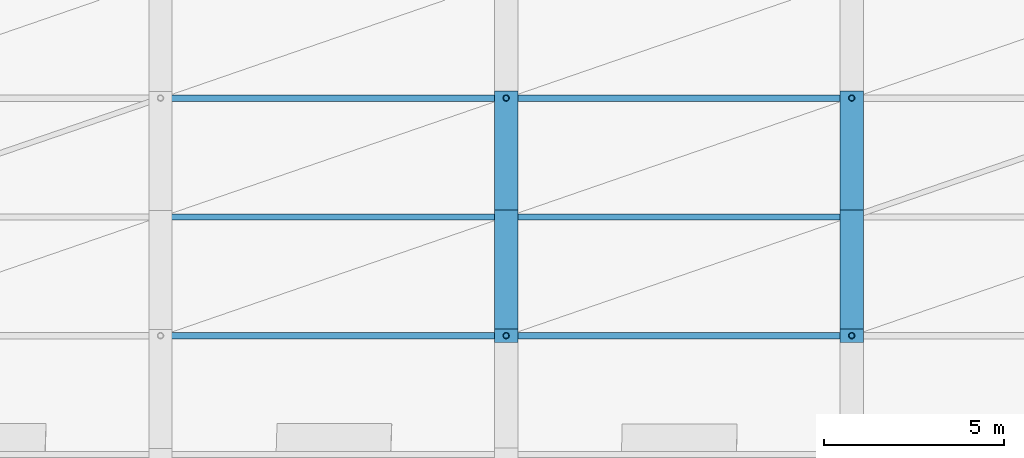
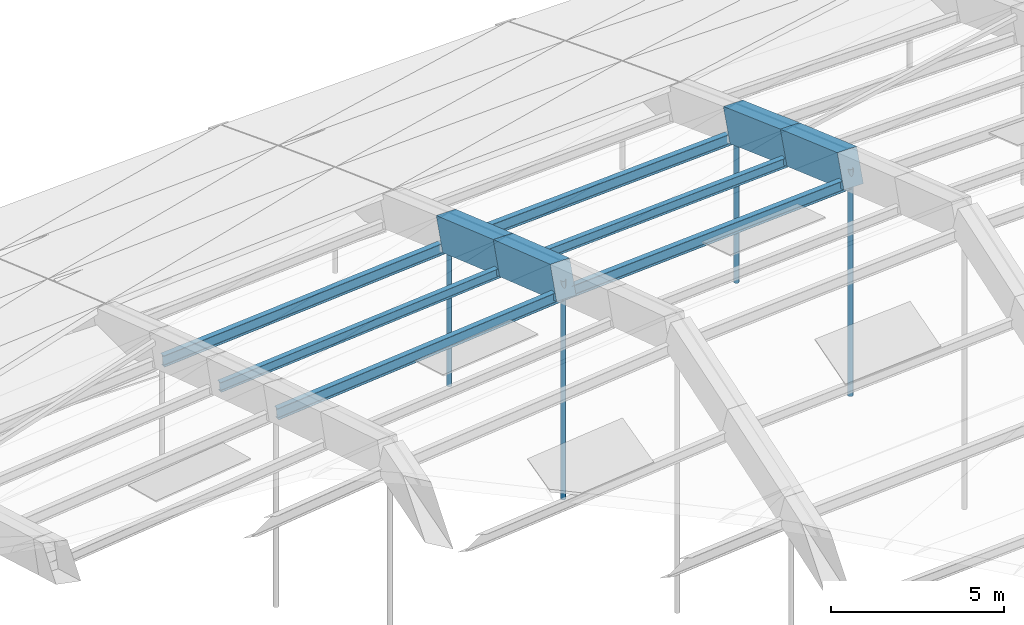
# One storey, part 19 of 43: 10 members, 4 beams.
"""IFC4 building model written with IfcOpenShell, lengths in metres."""

import ifcopenshell
import ifcopenshell.guid

model = None  # the IFC model being written
_history = None  # IfcOwnerHistory: only IFC2X3 demands one
_inside = {}  # id of a spatial element -> (the spatial element, [elements in it])
_under = {}  # id of a project, library or spatial element -> (it, [spatial elements below it])
_declared = {}  # id of a project -> (the project, [libraries it declares])
_typed = {}  # id of a type object -> (the type object, [elements of that type])
_made_of = {}  # id of a material, layer set ... -> (it, [elements and type objects made of it])


def new_model(schema):
    """Start an empty IFC model of exactly this schema.

    Asked for "IFC4X3", IfcOpenShell would pick the latest addendum, in which some entities
    have other attributes; the version numbers below select the first issue.
    IFC2X3 requires an IfcOwnerHistory on every rooted entity: one is made here for all.
    """
    global model, _history
    if schema == "IFC4X3":
        model = ifcopenshell.file(schema_version=(4, 3, 0, 0))
    else:
        model = ifcopenshell.file(schema=schema)
    _inside.clear()
    _under.clear()
    _declared.clear()
    _typed.clear()
    _made_of.clear()
    _history = None
    if model.schema == "IFC2X3":
        org = make("IfcOrganization", Name="unknown")
        user = make(
            "IfcPersonAndOrganization",
            ThePerson=make("IfcPerson", FamilyName="unknown"),
            TheOrganization=org,
        )
        app = make(
            "IfcApplication",
            ApplicationDeveloper=org,
            Version="unknown",
            ApplicationFullName="unknown",
            ApplicationIdentifier="unknown",
        )
        _history = make(
            "IfcOwnerHistory",
            OwningUser=user,
            OwningApplication=app,
            ChangeAction="ADDED",
            CreationDate=0,
        )
    return model


def make(cls, **values):
    """One entity of the class cls with the attributes given. An attribute that is None is left unset."""
    return model.create_entity(
        cls, **{name: value for name, value in values.items() if value is not None}
    )


def rooted(cls, **values):
    """An entity with a GlobalId (a new one), such as an element, a storey or a relation."""
    return make(cls, GlobalId=ifcopenshell.guid.new(), OwnerHistory=_history, **values)


def si_unit(unit_type, name, prefix=None):
    """IfcSIUnit, for example si_unit("LENGTHUNIT", "METRE", prefix="MILLI")."""
    return make("IfcSIUnit", UnitType=unit_type, Prefix=prefix, Name=name)


def assignment(units):
    """IfcUnitAssignment: the units of a project."""
    return None if units is None else make("IfcUnitAssignment", Units=units)


def point(xyz):
    """IfcCartesianPoint."""
    return None if xyz is None else make("IfcCartesianPoint", Coordinates=xyz)


def direction(xyz):
    """IfcDirection."""
    return None if xyz is None else make("IfcDirection", DirectionRatios=xyz)


def frame(location, z_axis=None, x_axis=None):
    """IfcAxis2Placement3D, a coordinate frame: its origin and axes. An axis left out is left unset."""
    return make(
        "IfcAxis2Placement3D",
        Location=point(location),
        Axis=direction(z_axis),
        RefDirection=direction(x_axis),
    )


def frame_2d(location, x_axis=None):
    """IfcAxis2Placement2D, a coordinate frame in the plane: its origin and x axis."""
    return make(
        "IfcAxis2Placement2D", Location=point(location), RefDirection=direction(x_axis)
    )


def origin():
    """The frame at (0, 0, 0) with its axes left unset."""
    return frame((0.0, 0.0, 0.0))


def origin_2d():
    """The frame at (0, 0) in the plane with its x axis left unset."""
    return frame_2d((0.0, 0.0))


def place(relative_to, where):
    """IfcLocalPlacement: puts the frame where relative to a parent placement (None: the world)."""
    return make(
        "IfcLocalPlacement", PlacementRelTo=relative_to, RelativePlacement=where
    )


def context(
    kind, dimensions, precision=None, world=None, true_north=None, identifier=None
):
    """IfcGeometricRepresentationContext, for example the 3D "Model" context."""
    return make(
        "IfcGeometricRepresentationContext",
        ContextIdentifier=identifier,
        ContextType=kind,
        CoordinateSpaceDimension=dimensions,
        Precision=precision,
        WorldCoordinateSystem=world,
        TrueNorth=true_north,
    )


def subcontext(parent, identifier, kind, view, scale=None):
    """IfcGeometricRepresentationSubContext, for example "Body" below "Model"."""
    return make(
        "IfcGeometricRepresentationSubContext",
        ContextIdentifier=identifier,
        ContextType=kind,
        ParentContext=parent,
        TargetScale=scale,
        TargetView=view,
    )


def project(units=None, contexts=None):
    """IfcProject with its units and contexts."""
    return rooted(
        "IfcProject",
        Name="project",
        RepresentationContexts=contexts,
        UnitsInContext=assignment(units),
    )


def spatial(cls, under=None, at=None, **own):
    """A site, building, storey or space (cls), placed at a placement, below another one or the project."""
    s = rooted(cls, ObjectPlacement=at, **own)
    if under is not None:
        _under.setdefault(under.id(), (under, []))[1].append(s)
    return s


def profile(cls, at=None, kind="AREA", **sizes):
    """A parametric profile (cls). Its sizes go by their IFC names, for example OverallWidth=200.0."""
    return make(cls, ProfileType=kind, Position=at, **sizes)


def rectangle(**sizes):
    """IfcRectangleProfileDef."""
    return profile("IfcRectangleProfileDef", **sizes)


def hollow_circle(**sizes):
    """IfcCircleHollowProfileDef."""
    return profile("IfcCircleHollowProfileDef", **sizes)


def i_section(**sizes):
    """IfcIShapeProfileDef."""
    return profile("IfcIShapeProfileDef", **sizes)


def extrude(swept, where, along, depth):
    """IfcExtrudedAreaSolid: the profile swept, set in the frame where, extruded along a direction by depth."""
    return make(
        "IfcExtrudedAreaSolid",
        SweptArea=swept,
        Position=where,
        ExtrudedDirection=direction(along),
        Depth=depth,
    )


def shape(context_of_items, identifier, shape_type, items):
    """IfcShapeRepresentation: the items that make up one representation, for example the "Body"."""
    return make(
        "IfcShapeRepresentation",
        ContextOfItems=context_of_items,
        RepresentationIdentifier=identifier,
        RepresentationType=shape_type,
        Items=items,
    )


def material(Name=None, Category=None):
    """IfcMaterial."""
    return make("IfcMaterial", Name=Name, Category=Category)


def material_profile(
    of_material, cross_section, Name=None, Category=None, Priority=None
):
    """IfcMaterialProfile: a cross section and its material."""
    return make(
        "IfcMaterialProfile",
        Name=Name,
        Material=of_material,
        Profile=cross_section,
        Priority=Priority,
        Category=Category,
    )


def profile_set(profiles, Name=None, composite=None):
    """IfcMaterialProfileSet."""
    return make(
        "IfcMaterialProfileSet",
        Name=Name,
        MaterialProfiles=profiles,
        CompositeProfile=composite,
    )


def made_of(thing, what):
    """Note that an element or type object is made of a material, layer set ...; save() writes the relation."""
    if what is not None:
        _made_of.setdefault(what.id(), (what, []))[1].append(thing)
    return thing


def type_object(cls, material=None, **own):
    """A type object (cls), such as IfcWallType, which elements share."""
    return made_of(rooted(cls, **own), material)


def element(
    cls,
    number,
    at=None,
    inside=None,
    cuts=None,
    type_object=None,
    material=None,
    context=None,
    identifier="Body",
    shape_type=None,
    held_by="IfcProductDefinitionShape",
    body=None,
    shapes=None,
    **own,
):
    """One element of the class cls, such as IfcWall. Its Tag is "e" and its number.

    at: its placement. inside: the storey or other place that contains it. cuts: it is an
    opening in that element (IfcRelVoidsElement). A single representation is given by context,
    identifier, shape_type and body (its items); several are given by shapes. held_by: the class
    of the entity that holds the representations. save() writes the other relations.
    """
    e = rooted(cls, Tag="e%d" % number, ObjectPlacement=at, **own)
    if body is not None:
        shapes = [shape(context, identifier, shape_type, body)]
    if shapes is not None:
        e.Representation = make(held_by, Representations=shapes)
    if inside is not None:
        _inside.setdefault(inside.id(), (inside, []))[1].append(e)
    if cuts is not None:
        rooted(
            "IfcRelVoidsElement", RelatingBuildingElement=cuts, RelatedOpeningElement=e
        )
    if type_object is not None:
        _typed.setdefault(type_object.id(), (type_object, []))[1].append(e)
    return made_of(e, material)


def aggregate(whole, parts):
    """IfcRelAggregates: a whole, such as a stair, and the parts it consists of."""
    return rooted("IfcRelAggregates", RelatingObject=whole, RelatedObjects=parts)


def save(model, path):
    """Write the relations noted so far, then the file.

    IfcRelAggregates (storeys below a building ...), IfcRelContainedInSpatialStructure (elements
    in a storey), IfcRelDefinesByType, IfcRelAssociatesMaterial and IfcRelDeclares: one each for
    every whole, place, type object, material and project.
    """
    for whole, parts in _under.values():
        aggregate(whole, parts)
    for where, things in _inside.values():
        rooted(
            "IfcRelContainedInSpatialStructure",
            RelatedElements=things,
            RelatingStructure=where,
        )
    for kind, things in _typed.values():
        rooted("IfcRelDefinesByType", RelatedObjects=things, RelatingType=kind)
    for what, things in _made_of.values():
        rooted("IfcRelAssociatesMaterial", RelatedObjects=things, RelatingMaterial=what)
    for by, libraries in _declared.values():
        rooted("IfcRelDeclares", RelatingContext=by, RelatedDefinitions=libraries)
    model.write(path)


model = new_model("IFC4")

# Units and contexts
model_context = context("Model", 3, precision=1e-05, world=origin(), true_north=direction((0.0, 1.0)))
body_context = subcontext(model_context, "Body", "Model", "MODEL_VIEW")
ifc_project = project(units=[si_unit("LENGTHUNIT", "METRE"), si_unit("AREAUNIT", "SQUARE_METRE"), si_unit("VOLUMEUNIT", "CUBIC_METRE"), si_unit("PLANEANGLEUNIT", "RADIAN"), si_unit("MASSUNIT", "GRAM", prefix="KILO")], contexts=[model_context])

# Site, building, storey
site_placement = place(None, origin())
site = spatial("IfcSite", under=ifc_project, at=site_placement, CompositionType="ELEMENT")
building_placement = place(site_placement, origin())
building = spatial("IfcBuilding", under=site, at=building_placement, Name="Chalmorin Arch Market", CompositionType="ELEMENT")
storey_placement = place(building_placement, frame((0.0, 0.0, 18.60009765625)))
storey = spatial("IfcBuildingStorey", under=building, at=storey_placement, Name="RF", CompositionType="ELEMENT", Elevation=18.60009765625)

# Members
ifc_material_1 = material(Name="Steel A500 Grade C", Category="steel")
ifc_material_profile_1 = material_profile(ifc_material_1, hollow_circle(Radius=0.084228515625, WallThickness=0.007080078125, at=origin_2d()), Name="CHS168X7")
ifc_profile_set_1 = profile_set([ifc_material_profile_1], Name="Steel A500 Grade C")
member_type_1 = type_object("IfcMemberType", Name="ArchHangerTie-CHS168", PredefinedType="CHORD", material=ifc_profile_set_1)
member_1_placement = place(storey_placement, frame((67.199951171875, 39.0, -2.845458984375), z_axis=(0.0, 0.0, 1.0), x_axis=(1.0, 0.0, 0.0)))
element("IfcMember", 1, at=member_1_placement, inside=storey, type_object=member_type_1, Name="HT-CH168-0146", PredefinedType="CHORD", context=body_context, shape_type="SweptSolid", body=[
    extrude(hollow_circle(Radius=0.084228515625, WallThickness=0.007080078125, at=origin_2d()), origin(), (0.0, 0.0, 1.0), 7.72802734375),
])
member_2_placement = place(storey_placement, frame((67.199951171875, 45.60009765625, -2.845458984375), z_axis=(0.0, 0.0, 1.0), x_axis=(1.0, 0.0, 0.0)))
element("IfcMember", 2, at=member_2_placement, inside=storey, type_object=member_type_1, Name="HT-CH168-0147", PredefinedType="CHORD", context=body_context, shape_type="SweptSolid", body=[
    extrude(hollow_circle(Radius=0.084228515625, WallThickness=0.007080078125, at=origin_2d()), origin(), (0.0, 0.0, 1.0), 5.4521484375),
])
member_3_placement = place(storey_placement, frame((76.800048828125, 39.0, -2.552978515625), z_axis=(0.0, 0.0, 1.0), x_axis=(1.0, 0.0, 0.0)))
element("IfcMember", 3, at=member_3_placement, inside=storey, type_object=member_type_1, Name="HT-CH168-0153", PredefinedType="CHORD", context=body_context, shape_type="SweptSolid", body=[
    extrude(hollow_circle(Radius=0.084228515625, WallThickness=0.007080078125, at=origin_2d()), origin(), (0.0, 0.0, 1.0), 8.019775390625),
])
member_4_placement = place(storey_placement, frame((76.800048828125, 45.60009765625, -2.552978515625), z_axis=(0.0, 0.0, 1.0), x_axis=(1.0, 0.0, 0.0)))
element("IfcMember", 4, at=member_4_placement, inside=storey, type_object=member_type_1, Name="HT-CH168-0154", PredefinedType="CHORD", context=body_context, shape_type="SweptSolid", body=[
    extrude(hollow_circle(Radius=0.084228515625, WallThickness=0.007080078125, at=origin_2d()), origin(), (0.0, 0.0, 1.0), 5.6513671875),
])

# Beams
ifc_material_2 = material(Name="Concrete C50/60", Category="concrete")
ifc_material_profile_2 = material_profile(ifc_material_2, rectangle(XDim=0.64990234375, YDim=1.14990234375, at=origin_2d()), Name="RC650X1150")
ifc_profile_set_2 = profile_set([ifc_material_profile_2], Name="Concrete C50/60")
beam_type = type_object("IfcBeamType", Name="ArchRibChord-650x1150", PredefinedType="BEAM", material=ifc_profile_set_2)
beam_1_placement = place(storey_placement, frame((67.199951171875, 39.0, 4.882568359375), z_axis=(0.0, 0.946661270145, -0.322230413845), x_axis=(-1.0, 0.0, 0.0)))
element("IfcBeam", 5, at=beam_1_placement, inside=storey, type_object=beam_type, Name="AR-01-1633", PredefinedType="BEAM", context=body_context, shape_type="SweptSolid", body=[
    extrude(rectangle(XDim=0.64990234375, YDim=1.14990234375, at=origin_2d()), origin(), (0.0, 0.0, 1.0), 3.486083984375),
])
beam_2_placement = place(storey_placement, frame((67.199951171875, 42.300048828125, 3.75927734375), z_axis=(0.0, 0.944074839339, -0.32973125076), x_axis=(-1.0, 0.0, 0.0)))
element("IfcBeam", 6, at=beam_2_placement, inside=storey, type_object=beam_type, Name="AR-01-1634", PredefinedType="BEAM", context=body_context, shape_type="SweptSolid", body=[
    extrude(rectangle(XDim=0.64990234375, YDim=1.14990234375, at=origin_2d()), origin(), (0.0, 0.0, 1.0), 3.49560546875),
])
beam_3_placement = place(storey_placement, frame((76.800048828125, 39.0, 5.466796875), z_axis=(0.0, 0.942611222356, -0.333892323196), x_axis=(-1.0, 0.0, 0.0)))
element("IfcBeam", 7, at=beam_3_placement, inside=storey, type_object=beam_type, Name="AR-01-1652", PredefinedType="BEAM", context=body_context, shape_type="SweptSolid", body=[
    extrude(rectangle(XDim=0.64990234375, YDim=1.14990234375, at=origin_2d()), origin(), (0.0, 0.0, 1.0), 3.5009765625),
])
beam_4_placement = place(storey_placement, frame((76.800048828125, 42.300048828125, 4.2978515625), z_axis=(0.0, 0.939844165336, -0.341603490737), x_axis=(-1.0, 0.0, 0.0)))
element("IfcBeam", 8, at=beam_4_placement, inside=storey, type_object=beam_type, Name="AR-01-1653", PredefinedType="BEAM", context=body_context, shape_type="SweptSolid", body=[
    extrude(rectangle(XDim=0.64990234375, YDim=1.14990234375, at=origin_2d()), origin(), (0.0, 0.0, 1.0), 3.51123046875),
])

# Members
ifc_material_3 = material(Name="Steel A992 Grade 50", Category="steel")
ifc_material_profile_3 = material_profile(ifc_material_3, i_section(OverallWidth=0.1708984375, OverallDepth=0.35107421875, WebThickness=0.0068359375, FlangeThickness=0.009765625, FilletRadius=0.014892578125, at=origin_2d()), Name="W14X30")
ifc_profile_set_3 = profile_set([ifc_material_profile_3], Name="Steel A992 Grade 50")
member_type_2 = type_object("IfcMemberType", Name="RoofSteelPurlin-W14X30", PredefinedType="PURLIN", material=ifc_profile_set_3)
member_5_placement = place(storey_placement, frame((57.6201171875, 42.300048828125, 2.47314453125), z_axis=(0.996463313136, 0.0, 0.084028956763), x_axis=(0.0, 1.0, 0.0)))
element("IfcMember", 9, at=member_5_placement, inside=storey, type_object=member_type_2, Name="PR-W14-0216", PredefinedType="PURLIN", context=body_context, shape_type="SweptSolid", body=[
    extrude(i_section(OverallWidth=0.1708984375, OverallDepth=0.35107421875, WebThickness=0.0068359375, FlangeThickness=0.009765625, FilletRadius=0.014892578125, at=origin_2d()), origin(), (0.0, 0.0, 1.0), 9.59375),
])
member_6_placement = place(storey_placement, frame((67.219970703125, 42.300048828125, 3.279296875), z_axis=(0.998416902121, 0.0, 0.056246684868), x_axis=(0.0, 1.0, 0.0)))
element("IfcMember", 10, at=member_6_placement, inside=storey, type_object=member_type_2, Name="PR-W14-0233", PredefinedType="PURLIN", context=body_context, shape_type="SweptSolid", body=[
    extrude(i_section(OverallWidth=0.1708984375, OverallDepth=0.35107421875, WebThickness=0.0068359375, FlangeThickness=0.009765625, FilletRadius=0.014892578125, at=origin_2d()), origin(), (0.0, 0.0, 1.0), 9.5751953125),
])
ifc_material_profile_4 = material_profile(ifc_material_3, i_section(OverallWidth=0.178955078125, OverallDepth=0.409912109375, WebThickness=0.0087890625, FlangeThickness=0.014404296875, FilletRadius=0.01806640625, at=origin_2d()), Name="W16X45")
ifc_profile_set_4 = profile_set([ifc_material_profile_4], Name="Steel A992 Grade 50")
member_type_3 = type_object("IfcMemberType", Name="RoofSteelPurlin-W16X45", PredefinedType="PURLIN", material=ifc_profile_set_4)
member_7_placement = place(storey_placement, frame((57.6201171875, 39.0, 3.5283203125), z_axis=(0.995844282338, 0.0, 0.091072308273), x_axis=(0.0, 1.0, 0.0)))
element("IfcMember", 11, at=member_7_placement, inside=storey, type_object=member_type_3, Name="PR-W16-0215", PredefinedType="PURLIN", context=body_context, shape_type="SweptSolid", body=[
    extrude(i_section(OverallWidth=0.178955078125, OverallDepth=0.409912109375, WebThickness=0.0087890625, FlangeThickness=0.014404296875, FilletRadius=0.01806640625, at=origin_2d()), origin(), (0.0, 0.0, 1.0), 9.599609375),
])
member_8_placement = place(storey_placement, frame((57.6201171875, 45.60009765625, 1.390625), z_axis=(0.99704879106, 0.0, 0.076770490718), x_axis=(0.0, 1.0, 0.0)))
element("IfcMember", 12, at=member_8_placement, inside=storey, type_object=member_type_3, Name="PR-W16-0217", PredefinedType="PURLIN", context=body_context, shape_type="SweptSolid", body=[
    extrude(i_section(OverallWidth=0.178955078125, OverallDepth=0.409912109375, WebThickness=0.0087890625, FlangeThickness=0.014404296875, FilletRadius=0.01806640625, at=origin_2d()), origin(), (0.0, 0.0, 1.0), 9.588134765625),
])
member_9_placement = place(storey_placement, frame((67.219970703125, 39.0, 4.402587890625), z_axis=(0.998137912706, 0.0, 0.06099760011), x_axis=(0.0, 1.0, 0.0)))
element("IfcMember", 13, at=member_9_placement, inside=storey, type_object=member_type_3, Name="PR-W16-0232", PredefinedType="PURLIN", context=body_context, shape_type="SweptSolid", body=[
    extrude(i_section(OverallWidth=0.178955078125, OverallDepth=0.409912109375, WebThickness=0.0087890625, FlangeThickness=0.014404296875, FilletRadius=0.01806640625, at=origin_2d()), origin(), (0.0, 0.0, 1.0), 9.577880859375),
])
member_10_placement = place(storey_placement, frame((67.219970703125, 45.60009765625, 2.126708984375), z_axis=(0.998679959244, 0.0, 0.051364764235), x_axis=(0.0, 1.0, 0.0)))
element("IfcMember", 14, at=member_10_placement, inside=storey, type_object=member_type_3, Name="PR-W16-0234", PredefinedType="PURLIN", context=body_context, shape_type="SweptSolid", body=[
    extrude(i_section(OverallWidth=0.178955078125, OverallDepth=0.409912109375, WebThickness=0.0087890625, FlangeThickness=0.014404296875, FilletRadius=0.01806640625, at=origin_2d()), origin(), (0.0, 0.0, 1.0), 9.57275390625),
])

save(model, "model.ifc")
